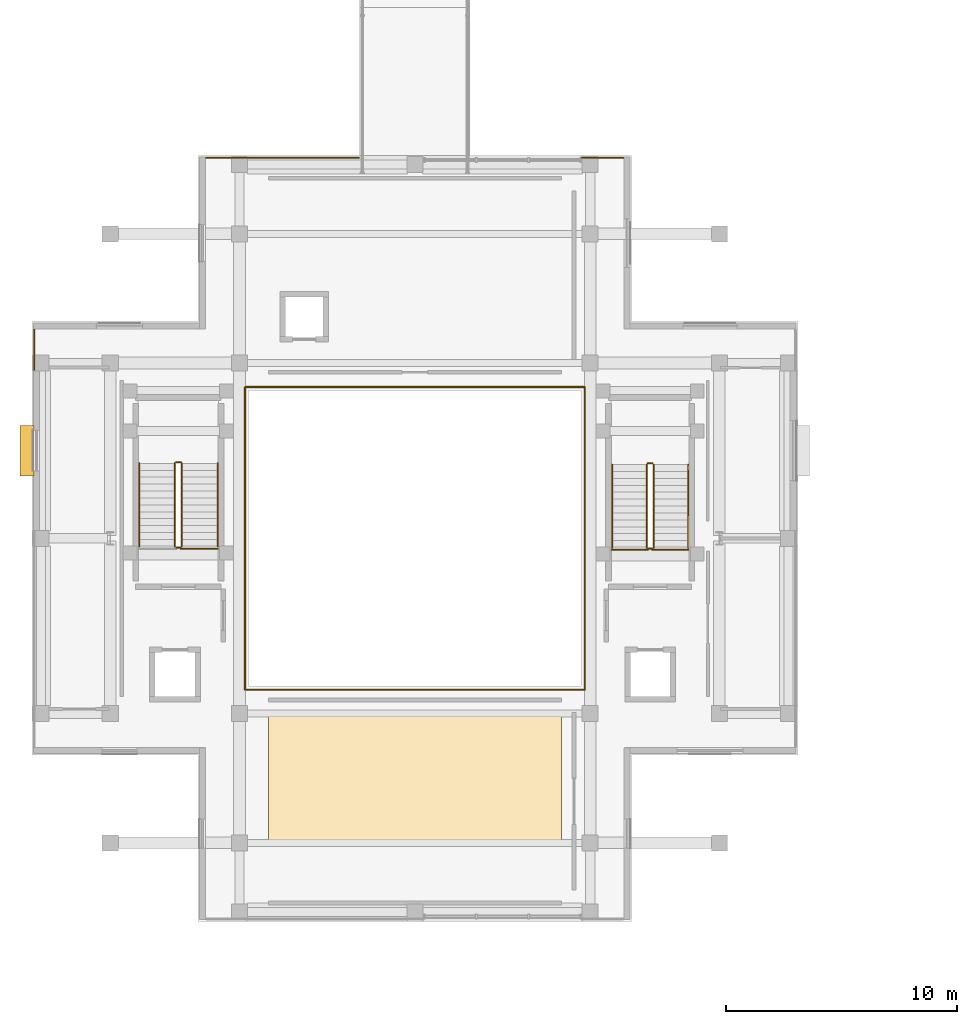
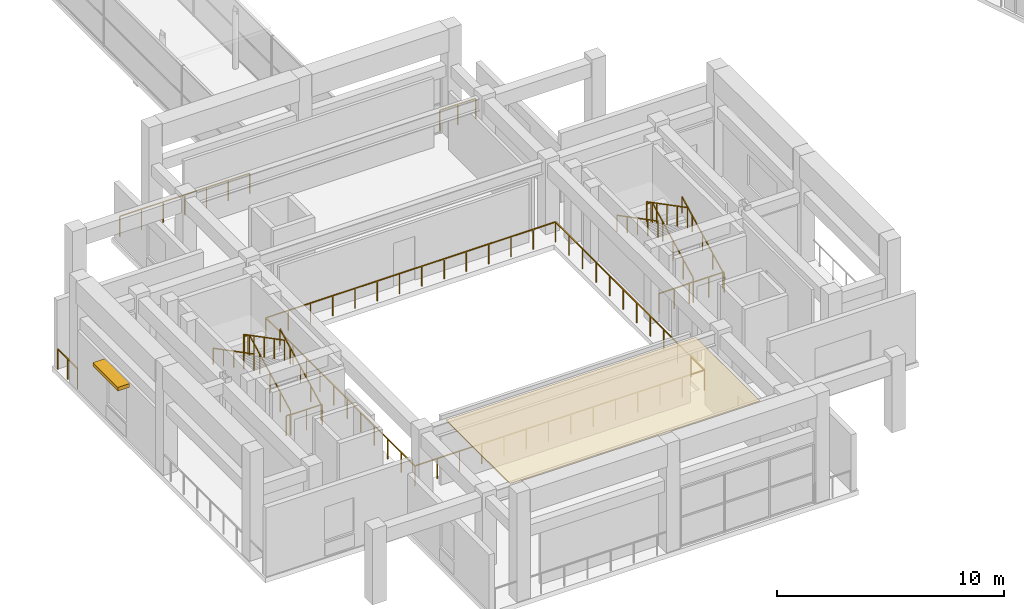
# One storey, part 24 of 29: 22 railings, 1 covering, 1 shading device.
"""IFC4 building model written with IfcOpenShell, lengths in metres."""

from ifc_helpers import new_model, si_unit, direction, frame, origin, origin_2d, place, context, subcontext, project, spatial, polyline, rectangle, outline, extrude, material, layer, layer_set, type_object, element, save


model = new_model("IFC4")

# Units and contexts
model_context = context("Model", 3, precision=1e-05, world=origin(), true_north=direction((0.0, 1.0)))
body_context = subcontext(model_context, "Body", "Model", "MODEL_VIEW")
ifc_project = project(units=[si_unit("LENGTHUNIT", "METRE"), si_unit("AREAUNIT", "SQUARE_METRE"), si_unit("VOLUMEUNIT", "CUBIC_METRE"), si_unit("PLANEANGLEUNIT", "RADIAN"), si_unit("MASSUNIT", "GRAM", prefix="KILO")], contexts=[model_context])

# Site, building, storey
site_placement = place(None, origin())
site = spatial("IfcSite", under=ifc_project, at=site_placement, CompositionType="ELEMENT")
building_placement = place(site_placement, origin())
building = spatial("IfcBuilding", under=site, at=building_placement, Name="Saryqyr Civic Hall", CompositionType="ELEMENT")
storey_placement = place(building_placement, frame((0.0, 0.0, 25.35009765625)))
storey = spatial("IfcBuildingStorey", under=building, at=storey_placement, Name="L06", CompositionType="ELEMENT", Elevation=25.35009765625)

# Shading device
ifc_material_1 = material(Name="Warm brushed brass-anodised aluminium", Category="aluminium")
shading_device_type = type_object("IfcShadingDeviceType", Name="ENV-SHD-LOUVRE", PredefinedType="JALOUSIE", material=ifc_material_1)
shading_device_placement = place(storey_placement, frame((40.18505859375, 87.800048828125, 2.89501953125), z_axis=(0.0, 0.0, 1.0), x_axis=(0.0, 1.0, 0.0)))
element("IfcShadingDevice", 1, at=shading_device_placement, inside=storey, type_object=shading_device_type, Name="Warm brass exterior louvre hood L06-02", PredefinedType="JALOUSIE", context=body_context, shape_type="SweptSolid", body=[
    extrude(rectangle(XDim=2.199951171875, YDim=0.60009765625, at=origin_2d()), origin(), (0.0, 0.0, 1.0), 0.199951171875),
])

# Covering
ifc_material_2 = material(Name="Mineral-fibre acoustic ceiling tile", Category="acoustic_tile")
ifc_layer_1 = layer(ifc_material_2, 0.06005859375, Name="Mineral-fibre acoustic ceiling tile")
ifc_layer_set_1 = layer_set([ifc_layer_1], Name="Mineral-fibre acoustic ceiling tile")
covering_type = type_object("IfcCoveringType", Name="INT-COV-CEIL-60", PredefinedType="CEILING", material=ifc_layer_set_1)
covering_placement = place(storey_placement, frame((0.0, 0.0, 3.739990234375)))
element("IfcCovering", 2, at=covering_placement, inside=storey, type_object=covering_type, Name="Acoustic ceiling Simultaneous Interpretation Booths", PredefinedType="CEILING", context=body_context, shape_type="SweptSolid", body=[
    extrude(outline(polyline([(50.64990234375, 76.449951171875), (63.35009765625, 76.449951171875), (63.35009765625, 70.800048828125), (50.64990234375, 70.800048828125), (50.64990234375, 76.449951171875)])), origin(), (0.0, 0.0, 1.0), 0.059814453125),
])

# Railings
ifc_material_3 = material(Name="Warm brushed brass and laminated glass", Category="glass")
ifc_layer_2 = layer(ifc_material_3, 0.06005859375, Name="Warm brushed brass and laminated glass")
ifc_layer_set_2 = layer_set([ifc_layer_2], Name="Warm brushed brass and laminated glass")
railing_type_1 = type_object("IfcRailingType", Name="INT-RLG-BAL-1100", PredefinedType="BALUSTRADE", material=ifc_layer_set_2)
railing_1_placement = place(storey_placement, frame((46.89990234375, 83.64990234375, 0.15576171875)))
element("IfcRailing", 3, at=railing_1_placement, inside=storey, type_object=railing_type_1, Name="L06 ST-1 stair guard 1", PredefinedType="BALUSTRADE", context=body_context, shape_type="SweptSolid", body=[
    extrude(rectangle(XDim=0.048095703125, YDim=0.048095703125, at=origin_2d()), frame((0.0, 0.0, 1.076171875), z_axis=(0.0, 0.887510277101, 0.460787920893), x_axis=(-1.0, 0.0, 0.0)), (0.0, 0.0, 1.0), 4.056396484375),
    extrude(rectangle(XDim=0.0419921875, YDim=0.0419921875, at=origin_2d()), origin(), (0.0, 0.0, 1.0), 1.052001953125),
    extrude(rectangle(XDim=0.0419921875, YDim=0.0419921875, at=origin_2d()), frame((0.0, 0.89990234375, 0.46728515625)), (0.0, 0.0, 1.0), 1.052001953125),
    extrude(rectangle(XDim=0.0419921875, YDim=0.0419921875, at=origin_2d()), frame((0.0, 1.800048828125, 0.9345703125)), (0.0, 0.0, 1.0), 1.052001953125),
    extrude(rectangle(XDim=0.0419921875, YDim=0.0419921875, at=origin_2d()), frame((0.0, 2.7001953125, 1.40185546875)), (0.0, 0.0, 1.0), 1.052001953125),
    extrude(rectangle(XDim=0.0419921875, YDim=0.0419921875, at=origin_2d()), frame((0.0, 3.60009765625, 1.869140625)), (0.0, 0.0, 1.0), 1.052001953125),
])
railing_2_placement = place(storey_placement, frame((46.85009765625, 87.300048828125, 2.02490234375)))
element("IfcRailing", 4, at=railing_2_placement, inside=storey, type_object=railing_type_1, Name="L06 ST-1 stair guard 2", PredefinedType="BALUSTRADE", context=body_context, shape_type="SweptSolid", body=[
    extrude(rectangle(XDim=0.048095703125, YDim=0.048095703125, at=origin_2d()), frame((0.0, 0.0, 1.076171875), z_axis=(-1.0, 0.0, 0.0), x_axis=(0.0, -1.0, 0.0)), (0.0, 0.0, 1.0), 0.2001953125),
    extrude(rectangle(XDim=0.0419921875, YDim=0.0419921875, at=origin_2d()), origin(), (0.0, 0.0, 1.0), 1.052001953125),
    extrude(rectangle(XDim=0.0419921875, YDim=0.0419921875, at=origin_2d()), frame((-0.2001953125, 0.0, 0.0)), (0.0, 0.0, 1.0), 1.052001953125),
])
railing_3_placement = place(storey_placement, frame((46.60009765625, 87.25, 2.1806640625)))
element("IfcRailing", 5, at=railing_3_placement, inside=storey, type_object=railing_type_1, Name="L06 ST-1 stair guard 3", PredefinedType="BALUSTRADE", context=body_context, shape_type="SweptSolid", body=[
    extrude(rectangle(XDim=0.048095703125, YDim=0.048095703125, at=origin_2d()), frame((0.0, 0.0, 1.076171875), z_axis=(0.0, -0.887510277101, 0.460787920893), x_axis=(1.0, 0.0, 0.0)), (0.0, 0.0, 1.0), 4.056396484375),
    extrude(rectangle(XDim=0.0419921875, YDim=0.0419921875, at=origin_2d()), origin(), (0.0, 0.0, 1.0), 1.052001953125),
    extrude(rectangle(XDim=0.0419921875, YDim=0.0419921875, at=origin_2d()), frame((0.0, -0.89990234375, 0.46728515625)), (0.0, 0.0, 1.0), 1.052001953125),
    extrude(rectangle(XDim=0.0419921875, YDim=0.0419921875, at=origin_2d()), frame((0.0, -1.800048828125, 0.9345703125)), (0.0, 0.0, 1.0), 1.052001953125),
    extrude(rectangle(XDim=0.0419921875, YDim=0.0419921875, at=origin_2d()), frame((0.0, -2.7001953125, 1.40185546875)), (0.0, 0.0, 1.0), 1.052001953125),
    extrude(rectangle(XDim=0.0419921875, YDim=0.0419921875, at=origin_2d()), frame((0.0, -3.60009765625, 1.869140625)), (0.0, 0.0, 1.0), 1.052001953125),
])
railing_4_placement = place(storey_placement, frame((46.85009765625, 83.60009765625, 0.0)))
element("IfcRailing", 6, at=railing_4_placement, inside=storey, type_object=railing_type_1, Name="L06 ST-1 stair guard 4", PredefinedType="BALUSTRADE", context=body_context, shape_type="SweptSolid", body=[
    extrude(rectangle(XDim=0.048095703125, YDim=0.048095703125, at=origin_2d()), frame((0.0, 0.0, 1.076171875), z_axis=(-1.0, 0.0, 0.0), x_axis=(0.0, -1.0, 0.0)), (0.0, 0.0, 1.0), 0.2001953125),
    extrude(rectangle(XDim=0.0419921875, YDim=0.0419921875, at=origin_2d()), origin(), (0.0, 0.0, 1.0), 1.052001953125),
    extrude(rectangle(XDim=0.0419921875, YDim=0.0419921875, at=origin_2d()), frame((-0.2001953125, 0.0, 0.0)), (0.0, 0.0, 1.0), 1.052001953125),
])
railing_5_placement = place(storey_placement, frame((67.35009765625, 83.60009765625, 0.15576171875)))
element("IfcRailing", 7, at=railing_5_placement, inside=storey, type_object=railing_type_1, Name="L06 ST-2 stair guard 1", PredefinedType="BALUSTRADE", context=body_context, shape_type="SweptSolid", body=[
    extrude(rectangle(XDim=0.048095703125, YDim=0.048095703125, at=origin_2d()), frame((0.0, 0.0, 1.076171875), z_axis=(0.0, 0.887497496945, 0.460812535545), x_axis=(-1.0, 0.0, 0.0)), (0.0, 0.0, 1.0), 4.05615234375),
    extrude(rectangle(XDim=0.0419921875, YDim=0.0419921875, at=origin_2d()), origin(), (0.0, 0.0, 1.0), 1.052001953125),
    extrude(rectangle(XDim=0.0419921875, YDim=0.0419921875, at=origin_2d()), frame((0.0, 0.89990234375, 0.46728515625)), (0.0, 0.0, 1.0), 1.052001953125),
    extrude(rectangle(XDim=0.0419921875, YDim=0.0419921875, at=origin_2d()), frame((0.0, 1.7998046875, 0.9345703125)), (0.0, 0.0, 1.0), 1.052001953125),
    extrude(rectangle(XDim=0.0419921875, YDim=0.0419921875, at=origin_2d()), frame((0.0, 2.699951171875, 1.40185546875)), (0.0, 0.0, 1.0), 1.052001953125),
    extrude(rectangle(XDim=0.0419921875, YDim=0.0419921875, at=origin_2d()), frame((0.0, 3.599853515625, 1.869140625)), (0.0, 0.0, 1.0), 1.052001953125),
])
railing_6_placement = place(storey_placement, frame((67.300048828125, 87.25, 2.02490234375)))
element("IfcRailing", 8, at=railing_6_placement, inside=storey, type_object=railing_type_1, Name="L06 ST-2 stair guard 2", PredefinedType="BALUSTRADE", context=body_context, shape_type="SweptSolid", body=[
    extrude(rectangle(XDim=0.048095703125, YDim=0.048095703125, at=origin_2d()), frame((0.0, 0.0, 1.076171875), z_axis=(-1.0, 0.0, 0.0), x_axis=(0.0, -1.0, 0.0)), (0.0, 0.0, 1.0), 0.199951171875),
    extrude(rectangle(XDim=0.0419921875, YDim=0.0419921875, at=origin_2d()), origin(), (0.0, 0.0, 1.0), 1.052001953125),
    extrude(rectangle(XDim=0.0419921875, YDim=0.0419921875, at=origin_2d()), frame((-0.199951171875, 0.0, 0.0)), (0.0, 0.0, 1.0), 1.052001953125),
])
railing_7_placement = place(storey_placement, frame((67.050048828125, 87.199951171875, 2.1806640625)))
element("IfcRailing", 9, at=railing_7_placement, inside=storey, type_object=railing_type_1, Name="L06 ST-2 stair guard 3", PredefinedType="BALUSTRADE", context=body_context, shape_type="SweptSolid", body=[
    extrude(rectangle(XDim=0.048095703125, YDim=0.048095703125, at=origin_2d()), frame((0.0, 0.0, 1.076171875), z_axis=(0.0, -0.887497496945, 0.460812535545), x_axis=(1.0, 0.0, 0.0)), (0.0, 0.0, 1.0), 4.05615234375),
    extrude(rectangle(XDim=0.0419921875, YDim=0.0419921875, at=origin_2d()), origin(), (0.0, 0.0, 1.0), 1.052001953125),
    extrude(rectangle(XDim=0.0419921875, YDim=0.0419921875, at=origin_2d()), frame((0.0, -0.89990234375, 0.46728515625)), (0.0, 0.0, 1.0), 1.052001953125),
    extrude(rectangle(XDim=0.0419921875, YDim=0.0419921875, at=origin_2d()), frame((0.0, -1.7998046875, 0.9345703125)), (0.0, 0.0, 1.0), 1.052001953125),
    extrude(rectangle(XDim=0.0419921875, YDim=0.0419921875, at=origin_2d()), frame((0.0, -2.699951171875, 1.40185546875)), (0.0, 0.0, 1.0), 1.052001953125),
    extrude(rectangle(XDim=0.0419921875, YDim=0.0419921875, at=origin_2d()), frame((0.0, -3.599853515625, 1.869140625)), (0.0, 0.0, 1.0), 1.052001953125),
])
railing_8_placement = place(storey_placement, frame((67.300048828125, 83.550048828125, 0.0)))
element("IfcRailing", 10, at=railing_8_placement, inside=storey, type_object=railing_type_1, Name="L06 ST-2 stair guard 4", PredefinedType="BALUSTRADE", context=body_context, shape_type="SweptSolid", body=[
    extrude(rectangle(XDim=0.048095703125, YDim=0.048095703125, at=origin_2d()), frame((0.0, 0.0, 1.076171875), z_axis=(-1.0, 0.0, 0.0), x_axis=(0.0, -1.0, 0.0)), (0.0, 0.0, 1.0), 0.199951171875),
    extrude(rectangle(XDim=0.0419921875, YDim=0.0419921875, at=origin_2d()), origin(), (0.0, 0.0, 1.0), 1.052001953125),
    extrude(rectangle(XDim=0.0419921875, YDim=0.0419921875, at=origin_2d()), frame((-0.199951171875, 0.0, 0.0)), (0.0, 0.0, 1.0), 1.052001953125),
])
railing_9_placement = place(storey_placement, frame((49.639892578125, 77.43994140625, 0.0)))
element("IfcRailing", 11, at=railing_9_placement, inside=storey, type_object=railing_type_1, Name="Atrium gallery balustrade V1-CHAM-VOID-L06-G1", PredefinedType="BALUSTRADE", context=body_context, shape_type="SweptSolid", body=[
    extrude(rectangle(XDim=0.048095703125, YDim=0.048095703125, at=origin_2d()), frame((0.0, 0.0, 1.076171875), z_axis=(1.0, 0.0, 0.0), x_axis=(0.0, 1.0, 0.0)), (0.0, 0.0, 1.0), 14.72021484375),
    extrude(rectangle(XDim=0.0419921875, YDim=0.0419921875, at=origin_2d()), origin(), (0.0, 0.0, 1.0), 1.052001953125),
    extrude(rectangle(XDim=0.0419921875, YDim=0.0419921875, at=origin_2d()), frame((1.13232421875, 0.0, 0.0)), (0.0, 0.0, 1.0), 1.052001953125),
    extrude(rectangle(XDim=0.0419921875, YDim=0.0419921875, at=origin_2d()), frame((2.2646484375, 0.0, 0.0)), (0.0, 0.0, 1.0), 1.052001953125),
    extrude(rectangle(XDim=0.0419921875, YDim=0.0419921875, at=origin_2d()), frame((3.39697265625, 0.0, 0.0)), (0.0, 0.0, 1.0), 1.052001953125),
    extrude(rectangle(XDim=0.0419921875, YDim=0.0419921875, at=origin_2d()), frame((4.529296875, 0.0, 0.0)), (0.0, 0.0, 1.0), 1.052001953125),
    extrude(rectangle(XDim=0.0419921875, YDim=0.0419921875, at=origin_2d()), frame((5.66162109375, 0.0, 0.0)), (0.0, 0.0, 1.0), 1.052001953125),
    extrude(rectangle(XDim=0.0419921875, YDim=0.0419921875, at=origin_2d()), frame((6.7939453125, 0.0, 0.0)), (0.0, 0.0, 1.0), 1.052001953125),
    extrude(rectangle(XDim=0.0419921875, YDim=0.0419921875, at=origin_2d()), frame((7.92626953125, 0.0, 0.0)), (0.0, 0.0, 1.0), 1.052001953125),
    extrude(rectangle(XDim=0.0419921875, YDim=0.0419921875, at=origin_2d()), frame((9.05859375, 0.0, 0.0)), (0.0, 0.0, 1.0), 1.052001953125),
    extrude(rectangle(XDim=0.0419921875, YDim=0.0419921875, at=origin_2d()), frame((10.19091796875, 0.0, 0.0)), (0.0, 0.0, 1.0), 1.052001953125),
    extrude(rectangle(XDim=0.0419921875, YDim=0.0419921875, at=origin_2d()), frame((11.3232421875, 0.0, 0.0)), (0.0, 0.0, 1.0), 1.052001953125),
    extrude(rectangle(XDim=0.0419921875, YDim=0.0419921875, at=origin_2d()), frame((12.45556640625, 0.0, 0.0)), (0.0, 0.0, 1.0), 1.052001953125),
    extrude(rectangle(XDim=0.0419921875, YDim=0.0419921875, at=origin_2d()), frame((13.587890625, 0.0, 0.0)), (0.0, 0.0, 1.0), 1.052001953125),
    extrude(rectangle(XDim=0.0419921875, YDim=0.0419921875, at=origin_2d()), frame((14.72021484375, 0.0, 0.0)), (0.0, 0.0, 1.0), 1.052001953125),
])
railing_10_placement = place(storey_placement, frame((64.360107421875, 77.43994140625, 0.0)))
element("IfcRailing", 12, at=railing_10_placement, inside=storey, type_object=railing_type_1, Name="Atrium gallery balustrade V1-CHAM-VOID-L06-G2", PredefinedType="BALUSTRADE", context=body_context, shape_type="SweptSolid", body=[
    extrude(rectangle(XDim=0.048095703125, YDim=0.048095703125, at=origin_2d()), frame((0.0, 0.0, 1.076171875), z_axis=(0.0, 1.0, 0.0), x_axis=(-1.0, 0.0, 0.0)), (0.0, 0.0, 1.0), 13.1201171875),
    extrude(rectangle(XDim=0.0419921875, YDim=0.0419921875, at=origin_2d()), origin(), (0.0, 0.0, 1.0), 1.052001953125),
    extrude(rectangle(XDim=0.0419921875, YDim=0.0419921875, at=origin_2d()), frame((0.0, 1.192626953125, 0.0)), (0.0, 0.0, 1.0), 1.052001953125),
    extrude(rectangle(XDim=0.0419921875, YDim=0.0419921875, at=origin_2d()), frame((0.0, 2.385498046875, 0.0)), (0.0, 0.0, 1.0), 1.052001953125),
    extrude(rectangle(XDim=0.0419921875, YDim=0.0419921875, at=origin_2d()), frame((0.0, 3.578125, 0.0)), (0.0, 0.0, 1.0), 1.052001953125),
    extrude(rectangle(XDim=0.0419921875, YDim=0.0419921875, at=origin_2d()), frame((0.0, 4.77099609375, 0.0)), (0.0, 0.0, 1.0), 1.052001953125),
    extrude(rectangle(XDim=0.0419921875, YDim=0.0419921875, at=origin_2d()), frame((0.0, 5.963623046875, 0.0)), (0.0, 0.0, 1.0), 1.052001953125),
    extrude(rectangle(XDim=0.0419921875, YDim=0.0419921875, at=origin_2d()), frame((0.0, 7.156494140625, 0.0)), (0.0, 0.0, 1.0), 1.052001953125),
    extrude(rectangle(XDim=0.0419921875, YDim=0.0419921875, at=origin_2d()), frame((0.0, 8.34912109375, 0.0)), (0.0, 0.0, 1.0), 1.052001953125),
    extrude(rectangle(XDim=0.0419921875, YDim=0.0419921875, at=origin_2d()), frame((0.0, 9.5419921875, 0.0)), (0.0, 0.0, 1.0), 1.052001953125),
    extrude(rectangle(XDim=0.0419921875, YDim=0.0419921875, at=origin_2d()), frame((0.0, 10.734619140625, 0.0)), (0.0, 0.0, 1.0), 1.052001953125),
    extrude(rectangle(XDim=0.0419921875, YDim=0.0419921875, at=origin_2d()), frame((0.0, 11.927490234375, 0.0)), (0.0, 0.0, 1.0), 1.052001953125),
    extrude(rectangle(XDim=0.0419921875, YDim=0.0419921875, at=origin_2d()), frame((0.0, 13.1201171875, 0.0)), (0.0, 0.0, 1.0), 1.052001953125),
])
railing_11_placement = place(storey_placement, frame((64.360107421875, 90.56005859375, 0.0)))
element("IfcRailing", 13, at=railing_11_placement, inside=storey, type_object=railing_type_1, Name="Atrium gallery balustrade V1-CHAM-VOID-L06-G3", PredefinedType="BALUSTRADE", context=body_context, shape_type="SweptSolid", body=[
    extrude(rectangle(XDim=0.048095703125, YDim=0.048095703125, at=origin_2d()), frame((0.0, 0.0, 1.076171875), z_axis=(-1.0, 0.0, 0.0), x_axis=(0.0, -1.0, 0.0)), (0.0, 0.0, 1.0), 14.72021484375),
    extrude(rectangle(XDim=0.0419921875, YDim=0.0419921875, at=origin_2d()), origin(), (0.0, 0.0, 1.0), 1.052001953125),
    extrude(rectangle(XDim=0.0419921875, YDim=0.0419921875, at=origin_2d()), frame((-1.13232421875, 0.0, 0.0)), (0.0, 0.0, 1.0), 1.052001953125),
    extrude(rectangle(XDim=0.0419921875, YDim=0.0419921875, at=origin_2d()), frame((-2.2646484375, 0.0, 0.0)), (0.0, 0.0, 1.0), 1.052001953125),
    extrude(rectangle(XDim=0.0419921875, YDim=0.0419921875, at=origin_2d()), frame((-3.39697265625, 0.0, 0.0)), (0.0, 0.0, 1.0), 1.052001953125),
    extrude(rectangle(XDim=0.0419921875, YDim=0.0419921875, at=origin_2d()), frame((-4.529296875, 0.0, 0.0)), (0.0, 0.0, 1.0), 1.052001953125),
    extrude(rectangle(XDim=0.0419921875, YDim=0.0419921875, at=origin_2d()), frame((-5.66162109375, 0.0, 0.0)), (0.0, 0.0, 1.0), 1.052001953125),
    extrude(rectangle(XDim=0.0419921875, YDim=0.0419921875, at=origin_2d()), frame((-6.7939453125, 0.0, 0.0)), (0.0, 0.0, 1.0), 1.052001953125),
    extrude(rectangle(XDim=0.0419921875, YDim=0.0419921875, at=origin_2d()), frame((-7.92626953125, 0.0, 0.0)), (0.0, 0.0, 1.0), 1.052001953125),
    extrude(rectangle(XDim=0.0419921875, YDim=0.0419921875, at=origin_2d()), frame((-9.05859375, 0.0, 0.0)), (0.0, 0.0, 1.0), 1.052001953125),
    extrude(rectangle(XDim=0.0419921875, YDim=0.0419921875, at=origin_2d()), frame((-10.19091796875, 0.0, 0.0)), (0.0, 0.0, 1.0), 1.052001953125),
    extrude(rectangle(XDim=0.0419921875, YDim=0.0419921875, at=origin_2d()), frame((-11.3232421875, 0.0, 0.0)), (0.0, 0.0, 1.0), 1.052001953125),
    extrude(rectangle(XDim=0.0419921875, YDim=0.0419921875, at=origin_2d()), frame((-12.45556640625, 0.0, 0.0)), (0.0, 0.0, 1.0), 1.052001953125),
    extrude(rectangle(XDim=0.0419921875, YDim=0.0419921875, at=origin_2d()), frame((-13.587890625, 0.0, 0.0)), (0.0, 0.0, 1.0), 1.052001953125),
    extrude(rectangle(XDim=0.0419921875, YDim=0.0419921875, at=origin_2d()), frame((-14.72021484375, 0.0, 0.0)), (0.0, 0.0, 1.0), 1.052001953125),
])
railing_12_placement = place(storey_placement, frame((49.639892578125, 90.56005859375, 0.0)))
element("IfcRailing", 14, at=railing_12_placement, inside=storey, type_object=railing_type_1, Name="Atrium gallery balustrade V1-CHAM-VOID-L06-G4", PredefinedType="BALUSTRADE", context=body_context, shape_type="SweptSolid", body=[
    extrude(rectangle(XDim=0.048095703125, YDim=0.048095703125, at=origin_2d()), frame((0.0, 0.0, 1.076171875), z_axis=(0.0, -1.0, 0.0), x_axis=(1.0, 0.0, 0.0)), (0.0, 0.0, 1.0), 13.1201171875),
    extrude(rectangle(XDim=0.0419921875, YDim=0.0419921875, at=origin_2d()), origin(), (0.0, 0.0, 1.0), 1.052001953125),
    extrude(rectangle(XDim=0.0419921875, YDim=0.0419921875, at=origin_2d()), frame((0.0, -1.192626953125, 0.0)), (0.0, 0.0, 1.0), 1.052001953125),
    extrude(rectangle(XDim=0.0419921875, YDim=0.0419921875, at=origin_2d()), frame((0.0, -2.385498046875, 0.0)), (0.0, 0.0, 1.0), 1.052001953125),
    extrude(rectangle(XDim=0.0419921875, YDim=0.0419921875, at=origin_2d()), frame((0.0, -3.578125, 0.0)), (0.0, 0.0, 1.0), 1.052001953125),
    extrude(rectangle(XDim=0.0419921875, YDim=0.0419921875, at=origin_2d()), frame((0.0, -4.77099609375, 0.0)), (0.0, 0.0, 1.0), 1.052001953125),
    extrude(rectangle(XDim=0.0419921875, YDim=0.0419921875, at=origin_2d()), frame((0.0, -5.963623046875, 0.0)), (0.0, 0.0, 1.0), 1.052001953125),
    extrude(rectangle(XDim=0.0419921875, YDim=0.0419921875, at=origin_2d()), frame((0.0, -7.156494140625, 0.0)), (0.0, 0.0, 1.0), 1.052001953125),
    extrude(rectangle(XDim=0.0419921875, YDim=0.0419921875, at=origin_2d()), frame((0.0, -8.34912109375, 0.0)), (0.0, 0.0, 1.0), 1.052001953125),
    extrude(rectangle(XDim=0.0419921875, YDim=0.0419921875, at=origin_2d()), frame((0.0, -9.5419921875, 0.0)), (0.0, 0.0, 1.0), 1.052001953125),
    extrude(rectangle(XDim=0.0419921875, YDim=0.0419921875, at=origin_2d()), frame((0.0, -10.734619140625, 0.0)), (0.0, 0.0, 1.0), 1.052001953125),
    extrude(rectangle(XDim=0.0419921875, YDim=0.0419921875, at=origin_2d()), frame((0.0, -11.927490234375, 0.0)), (0.0, 0.0, 1.0), 1.052001953125),
    extrude(rectangle(XDim=0.0419921875, YDim=0.0419921875, at=origin_2d()), frame((0.0, -13.1201171875, 0.0)), (0.0, 0.0, 1.0), 1.052001953125),
])
railing_13_placement = place(storey_placement, frame((40.5, 91.31494140625, 0.0)))
element("IfcRailing", 15, at=railing_13_placement, inside=storey, type_object=railing_type_1, Name="Interior deck safety balustrade L06-031", PredefinedType="BALUSTRADE", context=body_context, shape_type="SweptSolid", body=[
    extrude(rectangle(XDim=0.048095703125, YDim=0.048095703125, at=origin_2d()), frame((0.0, 0.0, 1.09619140625), z_axis=(0.0, 1.0, 0.0), x_axis=(-1.0, 0.0, 0.0)), (0.0, 0.0, 1.0), 1.72998046875),
    extrude(rectangle(XDim=0.0419921875, YDim=0.0419921875, at=origin_2d()), origin(), (0.0, 0.0, 1.0), 1.072021484375),
    extrude(rectangle(XDim=0.0419921875, YDim=0.0419921875, at=origin_2d()), frame((0.0, 0.864990234375, 0.0)), (0.0, 0.0, 1.0), 1.072021484375),
    extrude(rectangle(XDim=0.0419921875, YDim=0.0419921875, at=origin_2d()), frame((0.0, 1.72998046875, 0.0)), (0.0, 0.0, 1.0), 1.072021484375),
])
railing_14_placement = place(storey_placement, frame((47.955078125, 100.5, 0.0)))
element("IfcRailing", 16, at=railing_14_placement, inside=storey, type_object=railing_type_1, Name="Interior deck safety balustrade L06-032", PredefinedType="BALUSTRADE", context=body_context, shape_type="SweptSolid", body=[
    extrude(rectangle(XDim=0.048095703125, YDim=0.048095703125, at=origin_2d()), frame((0.0, 0.0, 1.09619140625), z_axis=(1.0, 0.0, 0.0), x_axis=(0.0, 1.0, 0.0)), (0.0, 0.0, 1.0), 6.60498046875),
    extrude(rectangle(XDim=0.0419921875, YDim=0.0419921875, at=origin_2d()), origin(), (0.0, 0.0, 1.0), 1.072021484375),
    extrude(rectangle(XDim=0.0419921875, YDim=0.0419921875, at=origin_2d()), frame((1.100830078125, 0.0, 0.0)), (0.0, 0.0, 1.0), 1.072021484375),
    extrude(rectangle(XDim=0.0419921875, YDim=0.0419921875, at=origin_2d()), frame((2.20166015625, 0.0, 0.0)), (0.0, 0.0, 1.0), 1.072021484375),
    extrude(rectangle(XDim=0.0419921875, YDim=0.0419921875, at=origin_2d()), frame((3.302490234375, 0.0, 0.0)), (0.0, 0.0, 1.0), 1.072021484375),
    extrude(rectangle(XDim=0.0419921875, YDim=0.0419921875, at=origin_2d()), frame((4.4033203125, 0.0, 0.0)), (0.0, 0.0, 1.0), 1.072021484375),
    extrude(rectangle(XDim=0.0419921875, YDim=0.0419921875, at=origin_2d()), frame((5.504150390625, 0.0, 0.0)), (0.0, 0.0, 1.0), 1.072021484375),
    extrude(rectangle(XDim=0.0419921875, YDim=0.0419921875, at=origin_2d()), frame((6.60498046875, 0.0, 0.0)), (0.0, 0.0, 1.0), 1.072021484375),
])
railing_15_placement = place(storey_placement, frame((64.2099609375, 100.5, 0.0)))
element("IfcRailing", 17, at=railing_15_placement, inside=storey, type_object=railing_type_1, Name="Interior deck safety balustrade L06-036", PredefinedType="BALUSTRADE", context=body_context, shape_type="SweptSolid", body=[
    extrude(rectangle(XDim=0.048095703125, YDim=0.048095703125, at=origin_2d()), frame((0.0, 0.0, 1.09619140625), z_axis=(1.0, 0.0, 0.0), x_axis=(0.0, 1.0, 0.0)), (0.0, 0.0, 1.0), 1.8349609375),
    extrude(rectangle(XDim=0.0419921875, YDim=0.0419921875, at=origin_2d()), origin(), (0.0, 0.0, 1.0), 1.072021484375),
    extrude(rectangle(XDim=0.0419921875, YDim=0.0419921875, at=origin_2d()), frame((0.91748046875, 0.0, 0.0)), (0.0, 0.0, 1.0), 1.072021484375),
    extrude(rectangle(XDim=0.0419921875, YDim=0.0419921875, at=origin_2d()), frame((1.8349609375, 0.0, 0.0)), (0.0, 0.0, 1.0), 1.072021484375),
])
railing_16_placement = place(storey_placement, frame((65.544921875, 83.5, 0.0)))
element("IfcRailing", 18, at=railing_16_placement, inside=storey, type_object=railing_type_1, Name="Interior deck safety balustrade L06-039", PredefinedType="BALUSTRADE", context=body_context, shape_type="SweptSolid", body=[
    extrude(rectangle(XDim=0.048095703125, YDim=0.048095703125, at=origin_2d()), frame((0.0, 0.0, 1.09619140625), z_axis=(1.0, 0.0, 0.0), x_axis=(0.0, 1.0, 0.0)), (0.0, 0.0, 1.0), 1.55517578125),
    extrude(rectangle(XDim=0.0419921875, YDim=0.0419921875, at=origin_2d()), origin(), (0.0, 0.0, 1.0), 1.072021484375),
    extrude(rectangle(XDim=0.0419921875, YDim=0.0419921875, at=origin_2d()), frame((0.777587890625, 0.0, 0.0)), (0.0, 0.0, 1.0), 1.072021484375),
    extrude(rectangle(XDim=0.0419921875, YDim=0.0419921875, at=origin_2d()), frame((1.55517578125, 0.0, 0.0)), (0.0, 0.0, 1.0), 1.072021484375),
])
railing_17_placement = place(storey_placement, frame((67.300048828125, 83.5, 0.0)))
element("IfcRailing", 19, at=railing_17_placement, inside=storey, type_object=railing_type_1, Name="Interior deck safety balustrade L06-040", PredefinedType="BALUSTRADE", context=body_context, shape_type="SweptSolid", body=[
    extrude(rectangle(XDim=0.048095703125, YDim=0.048095703125, at=origin_2d()), frame((0.0, 0.0, 1.09619140625), z_axis=(1.0, 0.0, 0.0), x_axis=(0.0, 1.0, 0.0)), (0.0, 0.0, 1.0), 1.554931640625),
    extrude(rectangle(XDim=0.0419921875, YDim=0.0419921875, at=origin_2d()), origin(), (0.0, 0.0, 1.0), 1.072021484375),
    extrude(rectangle(XDim=0.0419921875, YDim=0.0419921875, at=origin_2d()), frame((0.77734375, 0.0, 0.0)), (0.0, 0.0, 1.0), 1.072021484375),
    extrude(rectangle(XDim=0.0419921875, YDim=0.0419921875, at=origin_2d()), frame((1.554931640625, 0.0, 0.0)), (0.0, 0.0, 1.0), 1.072021484375),
])
railing_18_placement = place(storey_placement, frame((46.85009765625, 83.550048828125, 0.0)))
element("IfcRailing", 20, at=railing_18_placement, inside=storey, type_object=railing_type_1, Name="Interior deck safety balustrade L06-042", PredefinedType="BALUSTRADE", context=body_context, shape_type="SweptSolid", body=[
    extrude(rectangle(XDim=0.048095703125, YDim=0.048095703125, at=origin_2d()), frame((0.0, 0.0, 1.09619140625), z_axis=(1.0, 0.0, 0.0), x_axis=(0.0, 1.0, 0.0)), (0.0, 0.0, 1.0), 1.60498046875),
    extrude(rectangle(XDim=0.0419921875, YDim=0.0419921875, at=origin_2d()), origin(), (0.0, 0.0, 1.0), 1.072021484375),
    extrude(rectangle(XDim=0.0419921875, YDim=0.0419921875, at=origin_2d()), frame((0.802490234375, 0.0, 0.0)), (0.0, 0.0, 1.0), 1.072021484375),
    extrude(rectangle(XDim=0.0419921875, YDim=0.0419921875, at=origin_2d()), frame((1.60498046875, 0.0, 0.0)), (0.0, 0.0, 1.0), 1.072021484375),
])
ifc_material_4 = material(Name="Stainless steel", Category="steel")
ifc_layer_3 = layer(ifc_material_4, 0.050048828125, Name="Stainless steel")
ifc_layer_set_3 = layer_set([ifc_layer_3], Name="Stainless steel")
railing_type_2 = type_object("IfcRailingType", Name="INT-RLG-HND-900", PredefinedType="HANDRAIL", material=ifc_layer_set_3)
railing_19_placement = place(storey_placement, frame((48.449951171875, 83.64990234375, 0.15576171875)))
element("IfcRailing", 21, at=railing_19_placement, inside=storey, type_object=railing_type_2, Name="L06 ST-1 stair handrail 1", PredefinedType="HANDRAIL", context=body_context, shape_type="SweptSolid", body=[
    extrude(rectangle(XDim=0.048095703125, YDim=0.048095703125, at=origin_2d()), frame((0.0, 0.0, 0.8759765625), z_axis=(0.0, 0.887510277101, 0.460787920893), x_axis=(-1.0, 0.0, 0.0)), (0.0, 0.0, 1.0), 4.056396484375),
    extrude(rectangle(XDim=0.0419921875, YDim=0.0419921875, at=origin_2d()), origin(), (0.0, 0.0, 1.0), 0.851806640625),
    extrude(rectangle(XDim=0.0419921875, YDim=0.0419921875, at=origin_2d()), frame((0.0, 0.89990234375, 0.46728515625)), (0.0, 0.0, 1.0), 0.851806640625),
    extrude(rectangle(XDim=0.0419921875, YDim=0.0419921875, at=origin_2d()), frame((0.0, 1.800048828125, 0.9345703125)), (0.0, 0.0, 1.0), 0.851806640625),
    extrude(rectangle(XDim=0.0419921875, YDim=0.0419921875, at=origin_2d()), frame((0.0, 2.7001953125, 1.40185546875)), (0.0, 0.0, 1.0), 0.851806640625),
    extrude(rectangle(XDim=0.0419921875, YDim=0.0419921875, at=origin_2d()), frame((0.0, 3.60009765625, 1.869140625)), (0.0, 0.0, 1.0), 0.851806640625),
])
railing_20_placement = place(storey_placement, frame((45.050048828125, 87.25, 2.1806640625)))
element("IfcRailing", 22, at=railing_20_placement, inside=storey, type_object=railing_type_2, Name="L06 ST-1 stair handrail 2", PredefinedType="HANDRAIL", context=body_context, shape_type="SweptSolid", body=[
    extrude(rectangle(XDim=0.048095703125, YDim=0.048095703125, at=origin_2d()), frame((0.0, 0.0, 0.8759765625), z_axis=(0.0, -0.887510277101, 0.460787920893), x_axis=(1.0, 0.0, 0.0)), (0.0, 0.0, 1.0), 4.056396484375),
    extrude(rectangle(XDim=0.0419921875, YDim=0.0419921875, at=origin_2d()), origin(), (0.0, 0.0, 1.0), 0.851806640625),
    extrude(rectangle(XDim=0.0419921875, YDim=0.0419921875, at=origin_2d()), frame((0.0, -0.89990234375, 0.46728515625)), (0.0, 0.0, 1.0), 0.851806640625),
    extrude(rectangle(XDim=0.0419921875, YDim=0.0419921875, at=origin_2d()), frame((0.0, -1.800048828125, 0.9345703125)), (0.0, 0.0, 1.0), 0.851806640625),
    extrude(rectangle(XDim=0.0419921875, YDim=0.0419921875, at=origin_2d()), frame((0.0, -2.7001953125, 1.40185546875)), (0.0, 0.0, 1.0), 0.851806640625),
    extrude(rectangle(XDim=0.0419921875, YDim=0.0419921875, at=origin_2d()), frame((0.0, -3.60009765625, 1.869140625)), (0.0, 0.0, 1.0), 0.851806640625),
])
railing_21_placement = place(storey_placement, frame((68.85009765625, 83.60009765625, 0.15576171875)))
element("IfcRailing", 23, at=railing_21_placement, inside=storey, type_object=railing_type_2, Name="L06 ST-2 stair handrail 1", PredefinedType="HANDRAIL", context=body_context, shape_type="SweptSolid", body=[
    extrude(rectangle(XDim=0.048095703125, YDim=0.048095703125, at=origin_2d()), frame((0.0, 0.0, 0.8759765625), z_axis=(0.0, 0.887497496945, 0.460812535545), x_axis=(-1.0, 0.0, 0.0)), (0.0, 0.0, 1.0), 4.05615234375),
    extrude(rectangle(XDim=0.0419921875, YDim=0.0419921875, at=origin_2d()), origin(), (0.0, 0.0, 1.0), 0.851806640625),
    extrude(rectangle(XDim=0.0419921875, YDim=0.0419921875, at=origin_2d()), frame((0.0, 0.89990234375, 0.46728515625)), (0.0, 0.0, 1.0), 0.851806640625),
    extrude(rectangle(XDim=0.0419921875, YDim=0.0419921875, at=origin_2d()), frame((0.0, 1.7998046875, 0.9345703125)), (0.0, 0.0, 1.0), 0.851806640625),
    extrude(rectangle(XDim=0.0419921875, YDim=0.0419921875, at=origin_2d()), frame((0.0, 2.699951171875, 1.40185546875)), (0.0, 0.0, 1.0), 0.851806640625),
    extrude(rectangle(XDim=0.0419921875, YDim=0.0419921875, at=origin_2d()), frame((0.0, 3.599853515625, 1.869140625)), (0.0, 0.0, 1.0), 0.851806640625),
])
railing_22_placement = place(storey_placement, frame((65.550048828125, 87.199951171875, 2.1806640625)))
element("IfcRailing", 24, at=railing_22_placement, inside=storey, type_object=railing_type_2, Name="L06 ST-2 stair handrail 2", PredefinedType="HANDRAIL", context=body_context, shape_type="SweptSolid", body=[
    extrude(rectangle(XDim=0.048095703125, YDim=0.048095703125, at=origin_2d()), frame((0.0, 0.0, 0.8759765625), z_axis=(0.0, -0.887497496945, 0.460812535545), x_axis=(1.0, 0.0, 0.0)), (0.0, 0.0, 1.0), 4.05615234375),
    extrude(rectangle(XDim=0.0419921875, YDim=0.0419921875, at=origin_2d()), origin(), (0.0, 0.0, 1.0), 0.851806640625),
    extrude(rectangle(XDim=0.0419921875, YDim=0.0419921875, at=origin_2d()), frame((0.0, -0.89990234375, 0.46728515625)), (0.0, 0.0, 1.0), 0.851806640625),
    extrude(rectangle(XDim=0.0419921875, YDim=0.0419921875, at=origin_2d()), frame((0.0, -1.7998046875, 0.9345703125)), (0.0, 0.0, 1.0), 0.851806640625),
    extrude(rectangle(XDim=0.0419921875, YDim=0.0419921875, at=origin_2d()), frame((0.0, -2.699951171875, 1.40185546875)), (0.0, 0.0, 1.0), 0.851806640625),
    extrude(rectangle(XDim=0.0419921875, YDim=0.0419921875, at=origin_2d()), frame((0.0, -3.599853515625, 1.869140625)), (0.0, 0.0, 1.0), 0.851806640625),
])

save(model, "model.ifc")
